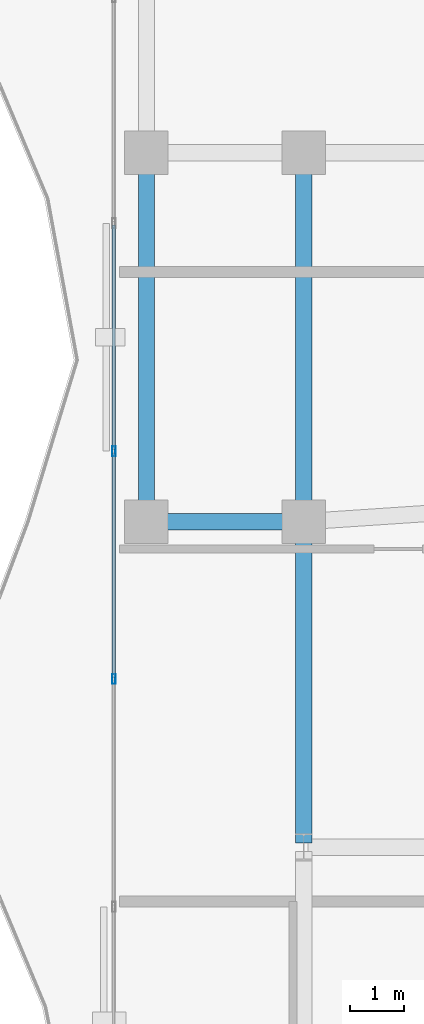
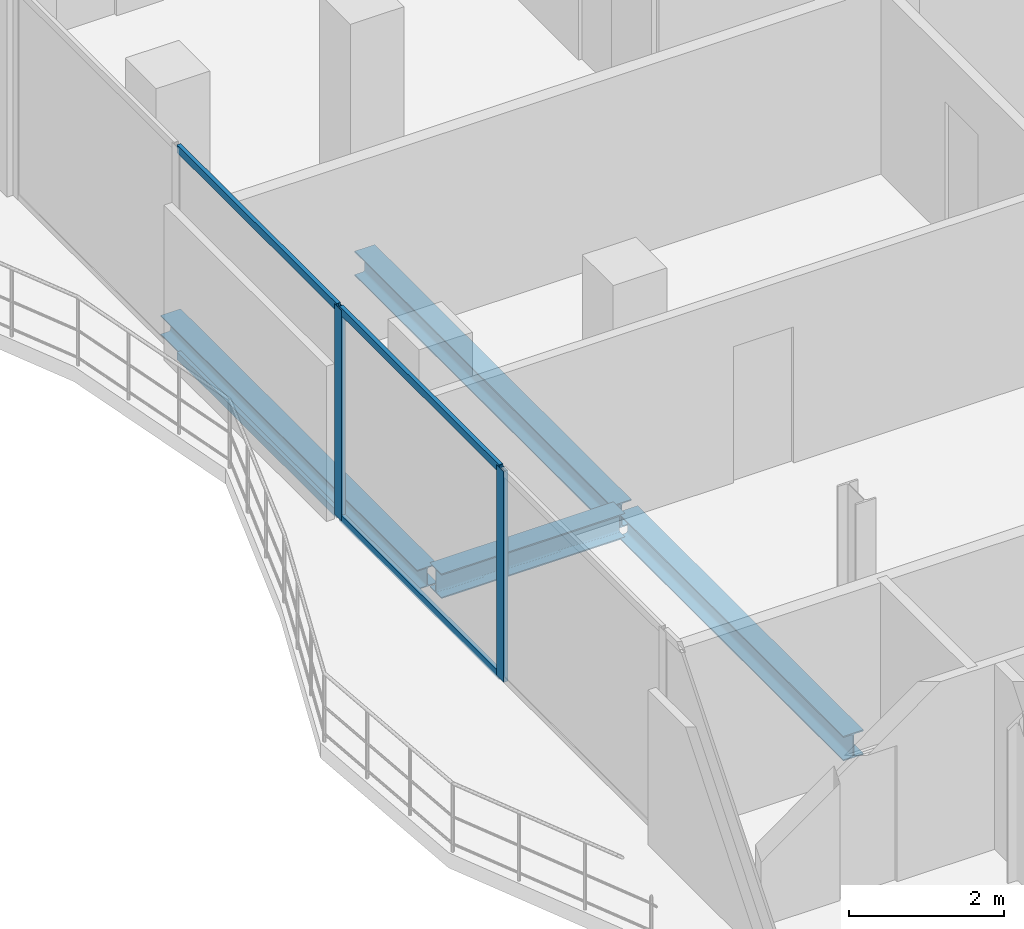
# One storey, part 7 of 24: 6 members, 4 beams, 1 element without a shape of its own.
"""IFC4 building model written with IfcOpenShell, lengths in metres."""

from ifc_helpers import new_model, si_unit, direction, frame, origin, origin_2d, place, context, subcontext, project, spatial, hollow_rectangle, i_section, extrude, material, layer, layer_set, material_profile, profile_set, type_object, element, aggregate, save


model = new_model("IFC4")

# Units and contexts
model_context = context("Model", 3, precision=1e-05, world=origin(), true_north=direction((0.0, 1.0)))
body_context = subcontext(model_context, "Body", "Model", "MODEL_VIEW")
ifc_project = project(units=[si_unit("LENGTHUNIT", "METRE"), si_unit("AREAUNIT", "SQUARE_METRE"), si_unit("VOLUMEUNIT", "CUBIC_METRE"), si_unit("PLANEANGLEUNIT", "RADIAN"), si_unit("MASSUNIT", "GRAM", prefix="KILO")], contexts=[model_context])

# Site, building, storey
site_placement = place(None, origin())
site = spatial("IfcSite", under=ifc_project, at=site_placement, CompositionType="ELEMENT")
building_placement = place(site_placement, origin())
building = spatial("IfcBuilding", under=site, at=building_placement, Name="Catumbela Crestline Tower", CompositionType="ELEMENT")
storey_placement = place(building_placement, frame((0.0, 0.0, 157.8)))
storey = spatial("IfcBuildingStorey", under=building, at=storey_placement, Name="L40", CompositionType="ELEMENT", Elevation=157.8)

# Beams
ifc_material_1 = material(Name="Structural steel S355J2", Category="steel")
ifc_material_profile_1 = material_profile(ifc_material_1, i_section(OverallWidth=0.3, OverallDepth=0.39, WebThickness=0.011, FlangeThickness=0.019, FilletRadius=0.027, at=origin_2d()), Name="HEA 400")
ifc_profile_set_1 = profile_set([ifc_material_profile_1], Name="Structural steel S355J2")
beam_type_1 = type_object("IfcBeamType", Name="BG-HEA400", PredefinedType="BEAM", material=ifc_profile_set_1)
beam_1_placement = place(storey_placement, frame((5.68, 24.0, -0.455), z_axis=(1.0, 0.0, 0.0), x_axis=(0.0, 1.0, 0.0)))
element("IfcBeam", 1, at=beam_1_placement, inside=storey, type_object=beam_type_1, Name="L40 Beam BM-L40-S01", PredefinedType="BEAM", context=body_context, shape_type="SweptSolid", body=[
    extrude(i_section(OverallWidth=0.3, OverallDepth=0.39, WebThickness=0.011, FlangeThickness=0.019, FilletRadius=0.027, at=origin_2d()), origin(), (0.0, 0.0, 1.0), 2.74),
])
beam_2_placement = place(storey_placement, frame((8.5, 24.08, -0.455), z_axis=(0.0, 1.0, 0.0), x_axis=(-1.0, 0.0, 0.0)))
element("IfcBeam", 2, at=beam_2_placement, inside=storey, type_object=beam_type_1, Name="L40 Beam BM-L40-SN16", PredefinedType="BEAM", context=body_context, shape_type="SweptSolid", body=[
    extrude(i_section(OverallWidth=0.3, OverallDepth=0.39, WebThickness=0.011, FlangeThickness=0.019, FilletRadius=0.027, at=origin_2d()), origin(), (0.0, 0.0, 1.0), 6.64),
])
beam_3_placement = place(storey_placement, frame((8.5, 18.08, -0.455), z_axis=(0.0, 1.0, 0.0), x_axis=(-1.0, 0.0, 0.0)))
element("IfcBeam", 3, at=beam_3_placement, inside=storey, type_object=beam_type_1, Name="L40 Beam BM-L40-WNS39", PredefinedType="BEAM", context=body_context, shape_type="SweptSolid", body=[
    extrude(i_section(OverallWidth=0.3, OverallDepth=0.39, WebThickness=0.011, FlangeThickness=0.019, FilletRadius=0.027, at=origin_2d()), origin(), (0.0, 0.0, 1.0), 5.84),
])

# Curtain wall, members
ifc_material_2 = material(Name="Aluminium alloy AW-6060-T66", Category="aluminium")
ifc_layer = layer(ifc_material_2, 0.18, Name="Aluminium alloy AW-6060-T66")
ifc_layer_set = layer_set([ifc_layer], Name="Aluminium alloy AW-6060-T66")
curtain_wall_type = type_object("IfcCurtainWallType", Name="CWU-Z3", PredefinedType="USERDEFINED", material=ifc_layer_set)
curtain_wall_placement = place(storey_placement, origin())
curtain_wall = element("IfcCurtainWall", 4, at=curtain_wall_placement, inside=storey, type_object=curtain_wall_type, Name="L40 Unitised Curtain Wall CW-L40-E9S2", ObjectType="UNITISED", PredefinedType="USERDEFINED")
ifc_material_profile_2 = material_profile(ifc_material_2, hollow_rectangle(XDim=0.065, YDim=0.18, WallThickness=0.004, at=origin_2d()), Name="ALU 180x65x4")
ifc_profile_set_2 = profile_set([ifc_material_profile_2], Name="Aluminium alloy AW-6060-T66")
member_type_1 = type_object("IfcMemberType", Name="MUL-180X65", PredefinedType="MULLION", material=ifc_profile_set_2)
member_1_placement = place(storey_placement, frame((5.0, 25.3, 0.0), z_axis=(0.0, 0.0, 1.0), x_axis=(1.0, 0.0, 0.0)))
member_1 = element("IfcMember", 5, at=member_1_placement, type_object=member_type_1, Name="CWU-Z3 mullion 3", PredefinedType="MULLION", context=body_context, shape_type="SweptSolid", body=[
    extrude(hollow_rectangle(XDim=0.065, YDim=0.18, WallThickness=0.004, at=origin_2d()), origin(), (0.0, 0.0, 1.0), 3.33),
])
member_2_placement = place(storey_placement, frame((5.0, 21.1, 0.0), z_axis=(0.0, 0.0, 1.0), x_axis=(1.0, 0.0, 0.0)))
member_2 = element("IfcMember", 6, at=member_2_placement, type_object=member_type_1, Name="CWU-Z3 mullion 4", PredefinedType="MULLION", context=body_context, shape_type="SweptSolid", body=[
    extrude(hollow_rectangle(XDim=0.065, YDim=0.18, WallThickness=0.004, at=origin_2d()), origin(), (0.0, 0.0, 1.0), 3.33),
])

# Beam
ifc_material_profile_3 = material_profile(ifc_material_1, i_section(OverallWidth=0.3, OverallDepth=0.31, WebThickness=0.009, FlangeThickness=0.0155, FilletRadius=0.027, at=origin_2d()), Name="HEA 320")
ifc_profile_set_3 = profile_set([ifc_material_profile_3], Name="Structural steel S355J2")
beam_type_2 = type_object("IfcBeamType", Name="BS-HEA320", PredefinedType="SPANDREL", material=ifc_profile_set_3)
beam_4_placement = place(storey_placement, frame((5.6, 24.08, -0.415), z_axis=(0.0, 1.0, 0.0), x_axis=(-1.0, 0.0, 0.0)))
element("IfcBeam", 7, at=beam_4_placement, inside=storey, type_object=beam_type_2, Name="L40 Spandrel SP-L40-SN14", PredefinedType="SPANDREL", context=body_context, shape_type="SweptSolid", body=[
    extrude(i_section(OverallWidth=0.3, OverallDepth=0.31, WebThickness=0.009, FlangeThickness=0.0155, FilletRadius=0.027, at=origin_2d()), origin(), (0.0, 0.0, 1.0), 6.64),
])

# Member
ifc_material_profile_4 = material_profile(ifc_material_2, hollow_rectangle(XDim=0.06, YDim=0.12, WallThickness=0.0035, at=origin_2d()), Name="ALU 120x60x3.5")
ifc_profile_set_4 = profile_set([ifc_material_profile_4], Name="Aluminium alloy AW-6060-T66")
member_type_2 = type_object("IfcMemberType", Name="TRN-120X60", PredefinedType="USERDEFINED", material=ifc_profile_set_4)
member_3_placement = place(storey_placement, frame((5.0, 29.4675, 0.03), z_axis=(0.0, -1.0, 0.0), x_axis=(1.0, 0.0, 0.0)))
member_3 = element("IfcMember", 8, at=member_3_placement, type_object=member_type_2, Name="CWU-Z3 transom 2.1", ObjectType="TRANSOM", PredefinedType="USERDEFINED", context=body_context, shape_type="SweptSolid", body=[
    extrude(hollow_rectangle(XDim=0.06, YDim=0.12, WallThickness=0.0035, at=origin_2d()), origin(), (0.0, 0.0, 1.0), 4.135),
])

member_4_placement = place(storey_placement, frame((5.0, 29.4675, 3.3), z_axis=(0.0, -1.0, 0.0), x_axis=(1.0, 0.0, 0.0)))
member_4 = element("IfcMember", 9, at=member_4_placement, type_object=member_type_2, Name="CWU-Z3 transom 2.2", ObjectType="TRANSOM", PredefinedType="USERDEFINED", context=body_context, shape_type="SweptSolid", body=[
    extrude(hollow_rectangle(XDim=0.06, YDim=0.12, WallThickness=0.0035, at=origin_2d()), origin(), (0.0, 0.0, 1.0), 4.135),
])

member_5_placement = place(storey_placement, frame((5.0, 25.2675, 0.03), z_axis=(0.0, -1.0, 0.0), x_axis=(1.0, 0.0, 0.0)))
member_5 = element("IfcMember", 10, at=member_5_placement, type_object=member_type_2, Name="CWU-Z3 transom 3.1", ObjectType="TRANSOM", PredefinedType="USERDEFINED", context=body_context, shape_type="SweptSolid", body=[
    extrude(hollow_rectangle(XDim=0.06, YDim=0.12, WallThickness=0.0035, at=origin_2d()), origin(), (0.0, 0.0, 1.0), 4.135),
])

member_6_placement = place(storey_placement, frame((5.0, 25.2675, 3.3), z_axis=(0.0, -1.0, 0.0), x_axis=(1.0, 0.0, 0.0)))
member_6 = element("IfcMember", 11, at=member_6_placement, type_object=member_type_2, Name="CWU-Z3 transom 3.2", ObjectType="TRANSOM", PredefinedType="USERDEFINED", context=body_context, shape_type="SweptSolid", body=[
    extrude(hollow_rectangle(XDim=0.06, YDim=0.12, WallThickness=0.0035, at=origin_2d()), origin(), (0.0, 0.0, 1.0), 4.135),
])

aggregate(curtain_wall, [member_1, member_2, member_3, member_4, member_5, member_6])

save(model, "model.ifc")
